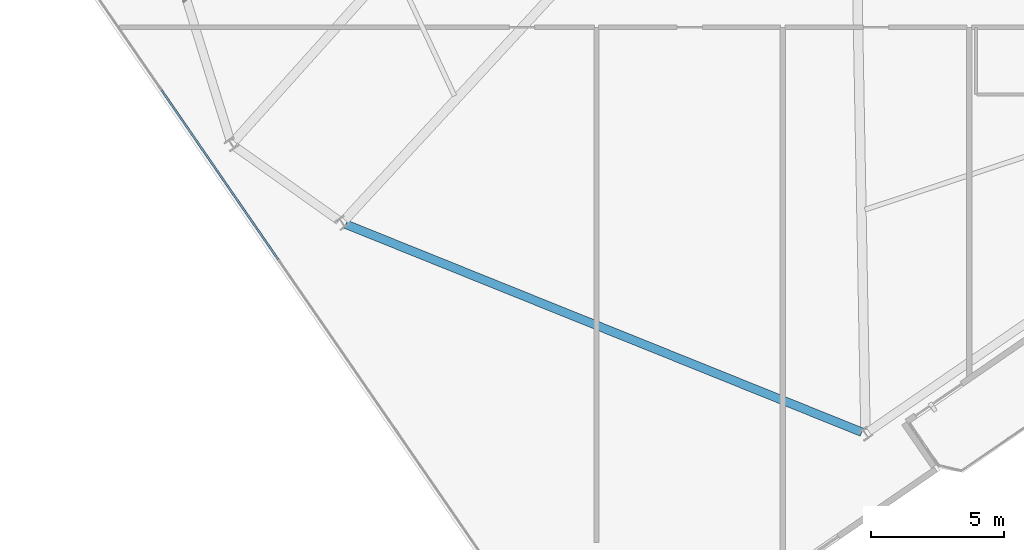
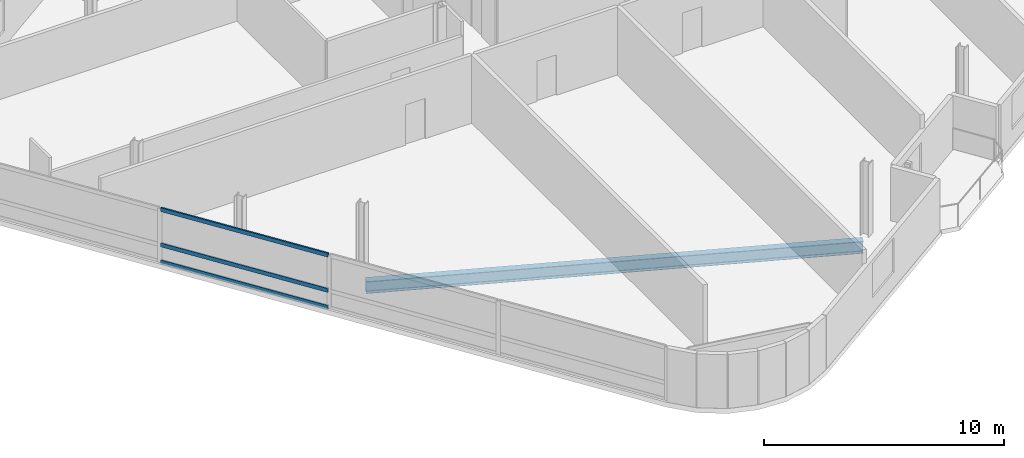
# One storey, part 5 of 23: 3 members, 1 beam, 1 element without a shape of its own.
"""IFC4 building model written with IfcOpenShell, lengths in metres."""

import ifcopenshell
import ifcopenshell.guid

model = None  # the IFC model being written
_history = None  # IfcOwnerHistory: only IFC2X3 demands one
_inside = {}  # id of a spatial element -> (the spatial element, [elements in it])
_under = {}  # id of a project, library or spatial element -> (it, [spatial elements below it])
_declared = {}  # id of a project -> (the project, [libraries it declares])
_typed = {}  # id of a type object -> (the type object, [elements of that type])
_made_of = {}  # id of a material, layer set ... -> (it, [elements and type objects made of it])


def new_model(schema):
    """Start an empty IFC model of exactly this schema.

    Asked for "IFC4X3", IfcOpenShell would pick the latest addendum, in which some entities
    have other attributes; the version numbers below select the first issue.
    IFC2X3 requires an IfcOwnerHistory on every rooted entity: one is made here for all.
    """
    global model, _history
    if schema == "IFC4X3":
        model = ifcopenshell.file(schema_version=(4, 3, 0, 0))
    else:
        model = ifcopenshell.file(schema=schema)
    _inside.clear()
    _under.clear()
    _declared.clear()
    _typed.clear()
    _made_of.clear()
    _history = None
    if model.schema == "IFC2X3":
        org = make("IfcOrganization", Name="unknown")
        user = make(
            "IfcPersonAndOrganization",
            ThePerson=make("IfcPerson", FamilyName="unknown"),
            TheOrganization=org,
        )
        app = make(
            "IfcApplication",
            ApplicationDeveloper=org,
            Version="unknown",
            ApplicationFullName="unknown",
            ApplicationIdentifier="unknown",
        )
        _history = make(
            "IfcOwnerHistory",
            OwningUser=user,
            OwningApplication=app,
            ChangeAction="ADDED",
            CreationDate=0,
        )
    return model


def make(cls, **values):
    """One entity of the class cls with the attributes given. An attribute that is None is left unset."""
    return model.create_entity(
        cls, **{name: value for name, value in values.items() if value is not None}
    )


def rooted(cls, **values):
    """An entity with a GlobalId (a new one), such as an element, a storey or a relation."""
    return make(cls, GlobalId=ifcopenshell.guid.new(), OwnerHistory=_history, **values)


def si_unit(unit_type, name, prefix=None):
    """IfcSIUnit, for example si_unit("LENGTHUNIT", "METRE", prefix="MILLI")."""
    return make("IfcSIUnit", UnitType=unit_type, Prefix=prefix, Name=name)


def assignment(units):
    """IfcUnitAssignment: the units of a project."""
    return None if units is None else make("IfcUnitAssignment", Units=units)


def point(xyz):
    """IfcCartesianPoint."""
    return None if xyz is None else make("IfcCartesianPoint", Coordinates=xyz)


def direction(xyz):
    """IfcDirection."""
    return None if xyz is None else make("IfcDirection", DirectionRatios=xyz)


def frame(location, z_axis=None, x_axis=None):
    """IfcAxis2Placement3D, a coordinate frame: its origin and axes. An axis left out is left unset."""
    return make(
        "IfcAxis2Placement3D",
        Location=point(location),
        Axis=direction(z_axis),
        RefDirection=direction(x_axis),
    )


def frame_2d(location, x_axis=None):
    """IfcAxis2Placement2D, a coordinate frame in the plane: its origin and x axis."""
    return make(
        "IfcAxis2Placement2D", Location=point(location), RefDirection=direction(x_axis)
    )


def origin():
    """The frame at (0, 0, 0) with its axes left unset."""
    return frame((0.0, 0.0, 0.0))


def origin_2d():
    """The frame at (0, 0) in the plane with its x axis left unset."""
    return frame_2d((0.0, 0.0))


def place(relative_to, where):
    """IfcLocalPlacement: puts the frame where relative to a parent placement (None: the world)."""
    return make(
        "IfcLocalPlacement", PlacementRelTo=relative_to, RelativePlacement=where
    )


def context(
    kind, dimensions, precision=None, world=None, true_north=None, identifier=None
):
    """IfcGeometricRepresentationContext, for example the 3D "Model" context."""
    return make(
        "IfcGeometricRepresentationContext",
        ContextIdentifier=identifier,
        ContextType=kind,
        CoordinateSpaceDimension=dimensions,
        Precision=precision,
        WorldCoordinateSystem=world,
        TrueNorth=true_north,
    )


def subcontext(parent, identifier, kind, view, scale=None):
    """IfcGeometricRepresentationSubContext, for example "Body" below "Model"."""
    return make(
        "IfcGeometricRepresentationSubContext",
        ContextIdentifier=identifier,
        ContextType=kind,
        ParentContext=parent,
        TargetScale=scale,
        TargetView=view,
    )


def project(units=None, contexts=None):
    """IfcProject with its units and contexts."""
    return rooted(
        "IfcProject",
        Name="project",
        RepresentationContexts=contexts,
        UnitsInContext=assignment(units),
    )


def spatial(cls, under=None, at=None, **own):
    """A site, building, storey or space (cls), placed at a placement, below another one or the project."""
    s = rooted(cls, ObjectPlacement=at, **own)
    if under is not None:
        _under.setdefault(under.id(), (under, []))[1].append(s)
    return s


def profile(cls, at=None, kind="AREA", **sizes):
    """A parametric profile (cls). Its sizes go by their IFC names, for example OverallWidth=200.0."""
    return make(cls, ProfileType=kind, Position=at, **sizes)


def hollow_rectangle(**sizes):
    """IfcRectangleHollowProfileDef."""
    return profile("IfcRectangleHollowProfileDef", **sizes)


def i_section(**sizes):
    """IfcIShapeProfileDef."""
    return profile("IfcIShapeProfileDef", **sizes)


def extrude(swept, where, along, depth):
    """IfcExtrudedAreaSolid: the profile swept, set in the frame where, extruded along a direction by depth."""
    return make(
        "IfcExtrudedAreaSolid",
        SweptArea=swept,
        Position=where,
        ExtrudedDirection=direction(along),
        Depth=depth,
    )


def shape(context_of_items, identifier, shape_type, items):
    """IfcShapeRepresentation: the items that make up one representation, for example the "Body"."""
    return make(
        "IfcShapeRepresentation",
        ContextOfItems=context_of_items,
        RepresentationIdentifier=identifier,
        RepresentationType=shape_type,
        Items=items,
    )


def material(Name=None, Category=None):
    """IfcMaterial."""
    return make("IfcMaterial", Name=Name, Category=Category)


def layer(
    of_material, thickness, ventilated=None, Name=None, Category=None, Priority=None
):
    """IfcMaterialLayer: one layer of a wall or slab, of a material (None: an air gap)."""
    return make(
        "IfcMaterialLayer",
        Material=of_material,
        LayerThickness=thickness,
        IsVentilated=ventilated,
        Name=Name,
        Category=Category,
        Priority=Priority,
    )


def layer_set(layers, Name=None):
    """IfcMaterialLayerSet."""
    return make("IfcMaterialLayerSet", MaterialLayers=layers, LayerSetName=Name)


def material_profile(
    of_material, cross_section, Name=None, Category=None, Priority=None
):
    """IfcMaterialProfile: a cross section and its material."""
    return make(
        "IfcMaterialProfile",
        Name=Name,
        Material=of_material,
        Profile=cross_section,
        Priority=Priority,
        Category=Category,
    )


def profile_set(profiles, Name=None, composite=None):
    """IfcMaterialProfileSet."""
    return make(
        "IfcMaterialProfileSet",
        Name=Name,
        MaterialProfiles=profiles,
        CompositeProfile=composite,
    )


def made_of(thing, what):
    """Note that an element or type object is made of a material, layer set ...; save() writes the relation."""
    if what is not None:
        _made_of.setdefault(what.id(), (what, []))[1].append(thing)
    return thing


def type_object(cls, material=None, **own):
    """A type object (cls), such as IfcWallType, which elements share."""
    return made_of(rooted(cls, **own), material)


def element(
    cls,
    number,
    at=None,
    inside=None,
    cuts=None,
    type_object=None,
    material=None,
    context=None,
    identifier="Body",
    shape_type=None,
    held_by="IfcProductDefinitionShape",
    body=None,
    shapes=None,
    **own,
):
    """One element of the class cls, such as IfcWall. Its Tag is "e" and its number.

    at: its placement. inside: the storey or other place that contains it. cuts: it is an
    opening in that element (IfcRelVoidsElement). A single representation is given by context,
    identifier, shape_type and body (its items); several are given by shapes. held_by: the class
    of the entity that holds the representations. save() writes the other relations.
    """
    e = rooted(cls, Tag="e%d" % number, ObjectPlacement=at, **own)
    if body is not None:
        shapes = [shape(context, identifier, shape_type, body)]
    if shapes is not None:
        e.Representation = make(held_by, Representations=shapes)
    if inside is not None:
        _inside.setdefault(inside.id(), (inside, []))[1].append(e)
    if cuts is not None:
        rooted(
            "IfcRelVoidsElement", RelatingBuildingElement=cuts, RelatedOpeningElement=e
        )
    if type_object is not None:
        _typed.setdefault(type_object.id(), (type_object, []))[1].append(e)
    return made_of(e, material)


def aggregate(whole, parts):
    """IfcRelAggregates: a whole, such as a stair, and the parts it consists of."""
    return rooted("IfcRelAggregates", RelatingObject=whole, RelatedObjects=parts)


def save(model, path):
    """Write the relations noted so far, then the file.

    IfcRelAggregates (storeys below a building ...), IfcRelContainedInSpatialStructure (elements
    in a storey), IfcRelDefinesByType, IfcRelAssociatesMaterial and IfcRelDeclares: one each for
    every whole, place, type object, material and project.
    """
    for whole, parts in _under.values():
        aggregate(whole, parts)
    for where, things in _inside.values():
        rooted(
            "IfcRelContainedInSpatialStructure",
            RelatedElements=things,
            RelatingStructure=where,
        )
    for kind, things in _typed.values():
        rooted("IfcRelDefinesByType", RelatedObjects=things, RelatingType=kind)
    for what, things in _made_of.values():
        rooted("IfcRelAssociatesMaterial", RelatedObjects=things, RelatingMaterial=what)
    for by, libraries in _declared.values():
        rooted("IfcRelDeclares", RelatingContext=by, RelatedDefinitions=libraries)
    model.write(path)


model = new_model("IFC4")

# Units and contexts
model_context = context("Model", 3, precision=1e-05, world=origin(), true_north=direction((0.0, 1.0)))
body_context = subcontext(model_context, "Body", "Model", "MODEL_VIEW")
ifc_project = project(units=[si_unit("LENGTHUNIT", "METRE"), si_unit("AREAUNIT", "SQUARE_METRE"), si_unit("VOLUMEUNIT", "CUBIC_METRE"), si_unit("PLANEANGLEUNIT", "RADIAN"), si_unit("MASSUNIT", "GRAM", prefix="KILO")], contexts=[model_context])

# Site, building, storey
site_placement = place(None, origin())
site = spatial("IfcSite", under=ifc_project, at=site_placement, CompositionType="ELEMENT")
building_placement = place(site_placement, origin())
building = spatial("IfcBuilding", under=site, at=building_placement, Name="Varnelok Gate Tower", CompositionType="ELEMENT")
storey_placement = place(building_placement, frame((0.0, 0.0, 258.199951171875)))
storey = spatial("IfcBuildingStorey", under=building, at=storey_placement, Name="L66", CompositionType="ELEMENT", Elevation=258.199951171875)

# Beam
ifc_material_1 = material(Name="Structural Steel ASTM A992 Grade 50", Category="steel")
ifc_material_profile_1 = material_profile(ifc_material_1, i_section(OverallWidth=0.323974609375, OverallDepth=0.611083984375, WebThickness=0.0126953125, FlangeThickness=0.01904296875, FilletRadius=0.01806640625, at=origin_2d()), Name="W24X104")
ifc_profile_set_1 = profile_set([ifc_material_profile_1], Name="Structural Steel ASTM A992 Grade 50")
beam_type = type_object("IfcBeamType", Name="BM-SPN-W24X104", PredefinedType="SPANDREL", material=ifc_profile_set_1)
beam_placement = place(storey_placement, frame((14.581787109375, 7.94775390625, -0.555419921875), z_axis=(0.927546574087, -0.373707576722, 0.0), x_axis=(0.373707576722, 0.927546574087, 0.0)))
element("IfcBeam", 1, at=beam_placement, inside=storey, type_object=beam_type, Name="L66 Perimeter Spandrel Beam 16", PredefinedType="SPANDREL", context=body_context, shape_type="SweptSolid", body=[
    extrude(i_section(OverallWidth=0.323974609375, OverallDepth=0.611083984375, WebThickness=0.0126953125, FlangeThickness=0.01904296875, FilletRadius=0.01806640625, at=origin_2d()), origin(), (0.0, 0.0, 1.0), 20.90087890625),
])

# Curtain wall, members
ifc_material_2 = material(Name="Anodized Aluminum Alloy 6063-T6", Category="aluminium")
ifc_layer = layer(ifc_material_2, 0.179931640625)
ifc_layer_set = layer_set([ifc_layer], Name="Anodized Aluminum Alloy 6063-T6")
curtain_wall_type = type_object("IfcCurtainWallType", Name="CW4-RESIDENCE-VISION", PredefinedType="USERDEFINED", material=ifc_layer_set)
curtain_wall_placement = place(storey_placement, origin())
curtain_wall = element("IfcCurtainWall", 2, at=curtain_wall_placement, inside=storey, type_object=curtain_wall_type, Name="L66 West End Vision Curtain Wall", ObjectType="UNITISED CURTAIN WALL", PredefinedType="USERDEFINED")
ifc_material_profile_2 = material_profile(ifc_material_2, hollow_rectangle(XDim=0.074951171875, YDim=0.199951171875, WallThickness=0.00390625, at=origin_2d()), Name="ALU200X75X4")
ifc_profile_set_2 = profile_set([ifc_material_profile_2], Name="Anodized Aluminum Alloy 6063-T6")
member_type = type_object("IfcMemberType", Name="CW-TRAN-200", PredefinedType="USERDEFINED", material=ifc_profile_set_2)
member_1_placement = place(storey_placement, frame((12.03515625, 6.6337890625, 0.03759765625), z_axis=(-0.567275705555, 0.823527943598, 0.0), x_axis=(-0.823527943598, -0.567275705555, 0.0)))
member_1 = element("IfcMember", 3, at=member_1_placement, type_object=member_type, Name="CW4 transom 3.1", ObjectType="TRANSOM", PredefinedType="USERDEFINED", context=body_context, shape_type="SweptSolid", body=[
    extrude(hollow_rectangle(XDim=0.074951171875, YDim=0.199951171875, WallThickness=0.00390625, at=origin_2d()), origin(), (0.0, 0.0, 1.0), 7.724853515625),
])
member_2_placement = place(storey_placement, frame((12.03515625, 6.6337890625, 0.900146484375), z_axis=(-0.567275705555, 0.823527943598, 0.0), x_axis=(-0.823527943598, -0.567275705555, 0.0)))
member_2 = element("IfcMember", 4, at=member_2_placement, type_object=member_type, Name="CW4 transom 3.2", ObjectType="TRANSOM", PredefinedType="USERDEFINED", context=body_context, shape_type="SweptSolid", body=[
    extrude(hollow_rectangle(XDim=0.074951171875, YDim=0.199951171875, WallThickness=0.00390625, at=origin_2d()), origin(), (0.0, 0.0, 1.0), 7.724853515625),
])
member_3_placement = place(storey_placement, frame((12.03515625, 6.6337890625, 2.692626953125), z_axis=(-0.567275705555, 0.823527943598, 0.0), x_axis=(-0.823527943598, -0.567275705555, 0.0)))
member_3 = element("IfcMember", 5, at=member_3_placement, type_object=member_type, Name="CW4 transom 3.3", ObjectType="TRANSOM", PredefinedType="USERDEFINED", context=body_context, shape_type="SweptSolid", body=[
    extrude(hollow_rectangle(XDim=0.074951171875, YDim=0.199951171875, WallThickness=0.00390625, at=origin_2d()), origin(), (0.0, 0.0, 1.0), 7.724853515625),
])
aggregate(curtain_wall, [member_1, member_2, member_3])

save(model, "model.ifc")
